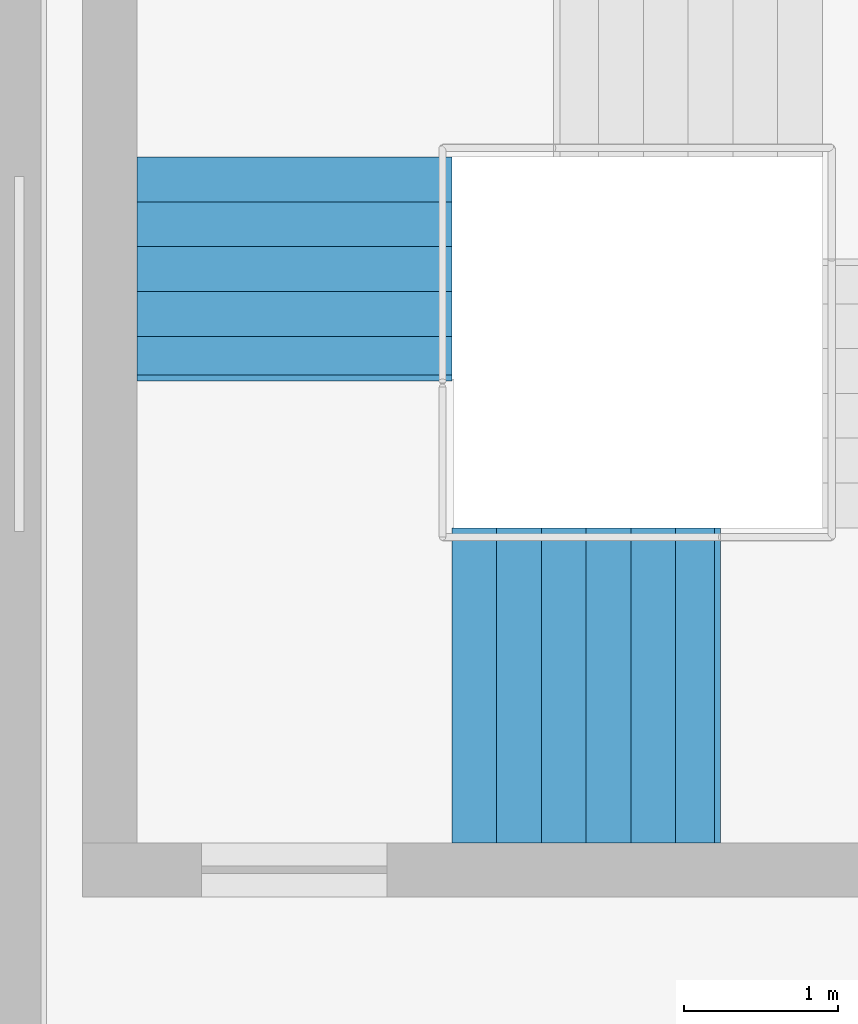
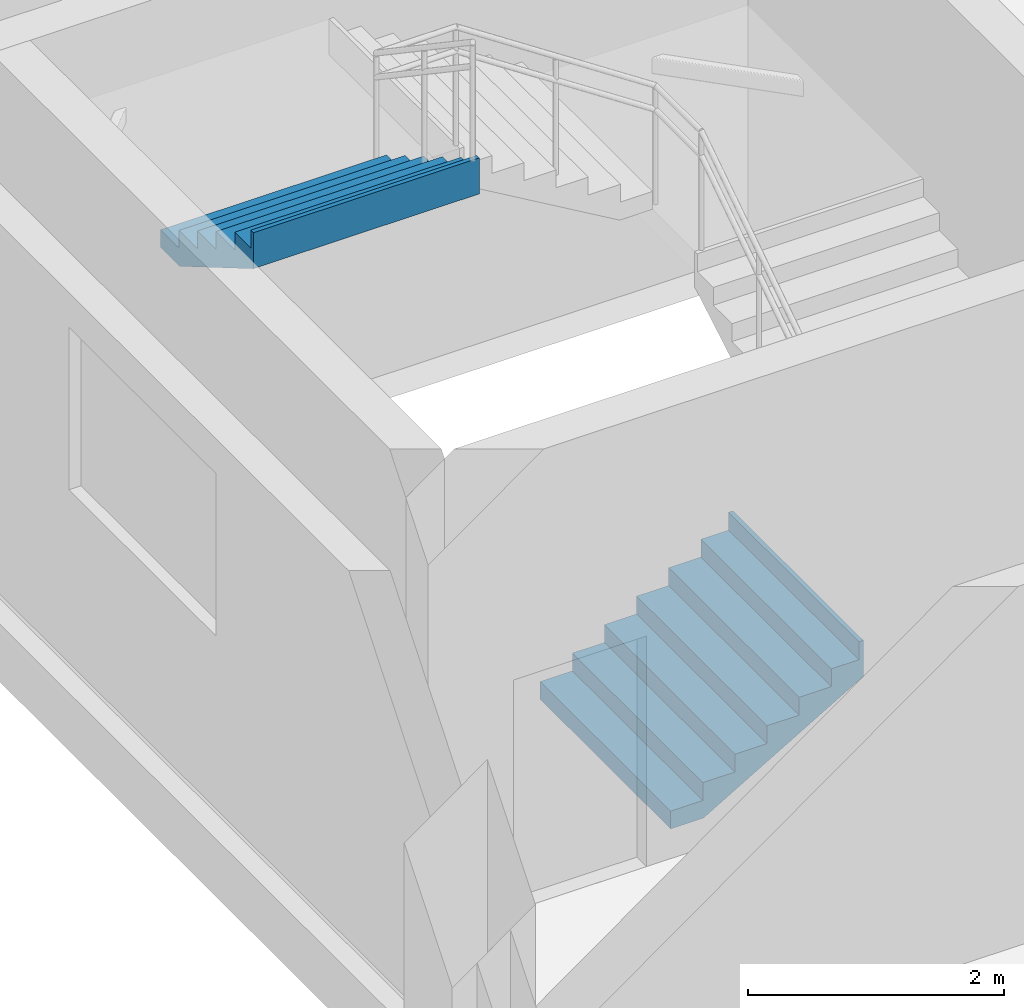
# One storey, part 45 of 55: 2 stair flights, 1 element without a shape of its own.
"""IFC4 building model written with IfcOpenShell, lengths in metres."""

from ifc_helpers import new_model, si_unit, direction, frame, origin, place, context, subcontext, project, spatial, triangles, material, type_object, element, aggregate, save


model = new_model("IFC4")

# Units and contexts
model_context = context("Model", 3, precision=1e-05, world=origin(), true_north=direction((0.0, 1.0)))
body_context = subcontext(model_context, "Body", "Model", "MODEL_VIEW")
ifc_project = project(units=[si_unit("LENGTHUNIT", "METRE"), si_unit("AREAUNIT", "SQUARE_METRE"), si_unit("VOLUMEUNIT", "CUBIC_METRE"), si_unit("PLANEANGLEUNIT", "RADIAN"), si_unit("MASSUNIT", "GRAM", prefix="KILO")], contexts=[model_context])

# Site, building, storey
site_placement = place(None, origin())
site = spatial("IfcSite", under=ifc_project, at=site_placement, CompositionType="ELEMENT")
building_placement = place(site_placement, origin())
building = spatial("IfcBuilding", under=site, at=building_placement, Name="Sillaruma Civic Art Gallery", CompositionType="ELEMENT")
storey_placement = place(building_placement, frame((0.0, 0.0, 37.739990234375)))
storey = spatial("IfcBuildingStorey", under=building, at=storey_placement, Name="L07", CompositionType="ELEMENT", Elevation=37.739990234375)

# Stair, stair flights
ifc_material = material(Name="Concrete H35 (35 MPa)", Category="concrete")
stair_type = type_object("IfcStairType", Name="STR-4F-27", PredefinedType="USERDEFINED", material=ifc_material)
stair_placement = place(storey_placement, origin())
stair = element("IfcStair", 1, at=stair_placement, inside=storey, type_object=stair_type, Name="Protected Exit Stair ST-03 (West Bar South) (L07)", ObjectType="THREE_RETURN_STAIR", PredefinedType="USERDEFINED")
stair_flight_type_1 = type_object("IfcStairFlightType", Name="SFL-STR-6", PredefinedType="STRAIGHT", material=ifc_material)
stair_flight_1_placement = place(storey_placement, frame((63.780029296875, 35.85009765625, 3.570068359375), z_axis=(0.0, 0.0, 1.0), x_axis=(0.0, -1.0, 0.0)))
stair_flight_1 = element("IfcStairFlight", 2, at=stair_flight_1_placement, type_object=stair_flight_type_1, Name="ST-03 flight 4", NumberOfRisers=6, NumberOfTreads=5, PredefinedType="STRAIGHT", RiserHeight=0.17, TreadLength=0.29, context=body_context, shape_type="Tessellation", body=[
    triangles([(0.0, -1.02001953125, 0.0), (0.29, -1.02001953125, 0.0), (0.296365, -1.02001953125, 0.0), (0.58, -1.02001953125, 0.166269), (0.87, -1.02001953125, 0.336269), (1.16, -1.02001953125, 0.506269), (1.409951, -1.02001953125, 0.652792), (1.449951, -1.02001953125, 0.67624), (1.449951, -1.02001953125, 1.02), (1.409951, -1.02001953125, 1.02), (1.409951, -1.02001953125, 0.85), (1.16, -1.02001953125, 0.85), (1.16, -1.02001953125, 0.68), (0.87, -1.02001953125, 0.68), (0.87, -1.02001953125, 0.51), (0.58, -1.02001953125, 0.51), (0.58, -1.02001953125, 0.34), (0.296365, -1.02001953125, 0.34), (0.29, -1.02001953125, 0.34), (0.29, -1.02001953125, 0.17), (0.0, -1.02001953125, 0.17), (0.0, -0.05, 0.0), (0.29, -0.05, 0.0), (0.296365, -0.05, 0.0), (0.58, -0.05, 0.166269), (0.87, -0.05, 0.336269), (1.16, -0.05, 0.506269), (1.409951, -0.05, 0.652792), (1.449951, -0.05, 0.67624), (1.449951, -0.05, 1.02), (1.409951, -0.05, 1.02), (1.409951, -0.05, 0.85), (1.16, -0.05, 0.85), (1.16, -0.05, 0.68), (0.87, -0.05, 0.68), (0.87, -0.05, 0.51), (0.58, -0.05, 0.51), (0.58, -0.05, 0.34), (0.296365, -0.05, 0.34), (0.29, -0.05, 0.34), (0.29, -0.05, 0.17), (0.0, -0.05, 0.17), (0.0, -0.0375, 0.0), (0.29, -0.0375, 0.0), (0.296365, -0.0375, 0.0), (0.58, -0.0375, 0.166269), (0.87, -0.0375, 0.336269), (1.16, -0.0375, 0.506269), (1.409951, -0.0375, 0.652792), (1.449951, -0.0375, 0.67624), (1.449951, -0.0375, 1.02), (1.409951, -0.0375, 1.02), (1.409951, -0.0375, 0.85), (1.16, -0.0375, 0.85), (1.16, -0.0375, 0.68), (0.87, -0.0375, 0.68), (0.87, -0.0375, 0.51), (0.58, -0.0375, 0.51), (0.58, -0.0375, 0.34), (0.296365, -0.0375, 0.34), (0.29, -0.0375, 0.34), (0.29, -0.0375, 0.17), (0.0, -0.0375, 0.17), (0.0, -0.025, 0.0), (0.29, -0.025, 0.0), (0.296365, -0.025, 0.0), (0.58, -0.025, 0.166269), (0.87, -0.025, 0.336269), (1.16, -0.025, 0.506269), (1.409951, -0.025, 0.652792), (1.449951, -0.025, 0.67624), (1.449951, -0.025, 1.02), (1.409951, -0.025, 1.02), (1.409951, -0.025, 0.85), (1.16, -0.025, 0.85), (1.16, -0.025, 0.68), (0.87, -0.025, 0.68), (0.87, -0.025, 0.51), (0.58, -0.025, 0.51), (0.58, -0.025, 0.34), (0.296365, -0.025, 0.34), (0.29, -0.025, 0.34), (0.29, -0.025, 0.17), (0.0, -0.025, 0.17), (0.0, -0.0125, 0.0), (0.29, -0.0125, 0.0), (0.296365, -0.0125, 0.0), (0.58, -0.0125, 0.166269), (0.87, -0.0125, 0.336269), (1.16, -0.0125, 0.506269), (1.409951, -0.0125, 0.652792), (1.449951, -0.0125, 0.67624), (1.449951, -0.0125, 1.02), (1.409951, -0.0125, 1.02), (1.409951, -0.0125, 0.85), (1.16, -0.0125, 0.85), (1.16, -0.0125, 0.68), (0.87, -0.0125, 0.68), (0.87, -0.0125, 0.51), (0.58, -0.0125, 0.51), (0.58, -0.0125, 0.34), (0.296365, -0.0125, 0.34), (0.29, -0.0125, 0.34), (0.29, -0.0125, 0.17), (0.0, -0.0125, 0.17), (0.0, 0.0, 0.0), (0.29, 0.0, 0.0), (0.296365, 0.0, 0.0), (0.58, 0.0, 0.166269), (0.87, 0.0, 0.336269), (1.16, 0.0, 0.506269), (1.409951, 0.0, 0.652792), (1.449951, 0.0, 0.67624), (1.449951, 0.0, 1.02), (1.409951, 0.0, 1.02), (1.409951, 0.0, 0.85), (1.16, 0.0, 0.85), (1.16, 0.0, 0.68), (0.87, 0.0, 0.68), (0.87, 0.0, 0.51), (0.58, 0.0, 0.51), (0.58, 0.0, 0.34), (0.296365, 0.0, 0.34), (0.29, 0.0, 0.34), (0.29, 0.0, 0.17), (0.0, 0.0, 0.17), (0.0, 0.0125, 0.0), (0.29, 0.0125, 0.0), (0.296365, 0.0125, 0.0), (0.58, 0.0125, 0.166269), (0.87, 0.0125, 0.336269), (1.16, 0.0125, 0.506269), (1.409951, 0.0125, 0.652792), (1.449951, 0.0125, 0.67624), (1.449951, 0.0125, 1.02), (1.409951, 0.0125, 1.02), (1.409951, 0.0125, 0.85), (1.16, 0.0125, 0.85), (1.16, 0.0125, 0.68), (0.87, 0.0125, 0.68), (0.87, 0.0125, 0.51), (0.58, 0.0125, 0.51), (0.58, 0.0125, 0.34), (0.296365, 0.0125, 0.34), (0.29, 0.0125, 0.34), (0.29, 0.0125, 0.17), (0.0, 0.0125, 0.17), (0.0, 0.025, 0.0), (0.29, 0.025, 0.0), (0.296365, 0.025, 0.0), (0.58, 0.025, 0.166269), (0.87, 0.025, 0.336269), (1.16, 0.025, 0.506269), (1.409951, 0.025, 0.652792), (1.449951, 0.025, 0.67624), (1.449951, 0.025, 1.02), (1.409951, 0.025, 1.02), (1.409951, 0.025, 0.85), (1.16, 0.025, 0.85), (1.16, 0.025, 0.68), (0.87, 0.025, 0.68), (0.87, 0.025, 0.51), (0.58, 0.025, 0.51), (0.58, 0.025, 0.34), (0.296365, 0.025, 0.34), (0.29, 0.025, 0.34), (0.29, 0.025, 0.17), (0.0, 0.025, 0.17), (0.0, 0.0375, 0.0), (0.29, 0.0375, 0.0), (0.296365, 0.0375, 0.0), (0.58, 0.0375, 0.166269), (0.87, 0.0375, 0.336269), (1.16, 0.0375, 0.506269), (1.409951, 0.0375, 0.652792), (1.449951, 0.0375, 0.67624), (1.449951, 0.0375, 1.02), (1.409951, 0.0375, 1.02), (1.409951, 0.0375, 0.85), (1.16, 0.0375, 0.85), (1.16, 0.0375, 0.68), (0.87, 0.0375, 0.68), (0.87, 0.0375, 0.51), (0.58, 0.0375, 0.51), (0.58, 0.0375, 0.34), (0.296365, 0.0375, 0.34), (0.29, 0.0375, 0.34), (0.29, 0.0375, 0.17), (0.0, 0.0375, 0.17), (0.0, 0.05, 0.0), (0.29, 0.05, 0.0), (0.296365, 0.05, 0.0), (0.58, 0.05, 0.166269), (0.87, 0.05, 0.336269), (1.16, 0.05, 0.506269), (1.409951, 0.05, 0.652792), (1.449951, 0.05, 0.67624), (1.449951, 0.05, 1.02), (1.409951, 0.05, 1.02), (1.409951, 0.05, 0.85), (1.16, 0.05, 0.85), (1.16, 0.05, 0.68), (0.87, 0.05, 0.68), (0.87, 0.05, 0.51), (0.58, 0.05, 0.51), (0.58, 0.05, 0.34), (0.296365, 0.05, 0.34), (0.29, 0.05, 0.34), (0.29, 0.05, 0.17), (0.0, 0.05, 0.17), (0.0, 1.02001953125, 0.0), (0.29, 1.02001953125, 0.0), (0.296365, 1.02001953125, 0.0), (0.58, 1.02001953125, 0.166269), (0.87, 1.02001953125, 0.336269), (1.16, 1.02001953125, 0.506269), (1.409951, 1.02001953125, 0.652792), (1.449951, 1.02001953125, 0.67624), (1.449951, 1.02001953125, 1.02), (1.409951, 1.02001953125, 1.02), (1.409951, 1.02001953125, 0.85), (1.16, 1.02001953125, 0.85), (1.16, 1.02001953125, 0.68), (0.87, 1.02001953125, 0.68), (0.87, 1.02001953125, 0.51), (0.58, 1.02001953125, 0.51), (0.58, 1.02001953125, 0.34), (0.296365, 1.02001953125, 0.34), (0.29, 1.02001953125, 0.34), (0.29, 1.02001953125, 0.17), (0.0, 1.02001953125, 0.17)], [[1, 2, 20], [1, 20, 21], [2, 3, 18], [2, 18, 20], [20, 18, 19], [3, 4, 17], [3, 17, 18], [4, 5, 15], [4, 15, 17], [17, 15, 16], [5, 6, 13], [5, 13, 15], [15, 13, 14], [6, 7, 11], [6, 11, 13], [13, 11, 12], [7, 8, 9], [7, 9, 11], [11, 9, 10], [230, 212, 211], [231, 230, 211], [228, 213, 212], [230, 228, 212], [229, 228, 230], [227, 214, 213], [228, 227, 213], [225, 215, 214], [227, 225, 214], [226, 225, 227], [223, 216, 215], [225, 223, 215], [224, 223, 225], [221, 217, 216], [223, 221, 216], [222, 221, 223], [219, 218, 217], [221, 219, 217], [220, 219, 221], [2, 1, 22], [2, 22, 23], [3, 2, 23], [3, 23, 24], [4, 3, 24], [4, 24, 25], [5, 4, 25], [5, 25, 26], [6, 5, 26], [6, 26, 27], [7, 6, 27], [7, 27, 28], [8, 7, 28], [8, 28, 29], [9, 8, 29], [9, 29, 30], [10, 9, 30], [10, 30, 31], [11, 10, 31], [11, 31, 32], [12, 11, 32], [12, 32, 33], [13, 12, 33], [13, 33, 34], [14, 13, 34], [14, 34, 35], [15, 14, 35], [15, 35, 36], [16, 15, 36], [16, 36, 37], [17, 16, 37], [17, 37, 38], [18, 17, 38], [18, 38, 39], [19, 18, 39], [19, 39, 40], [20, 19, 40], [20, 40, 41], [21, 20, 41], [21, 41, 42], [1, 21, 42], [1, 42, 22], [23, 22, 43], [23, 43, 44], [24, 23, 44], [24, 44, 45], [25, 24, 45], [25, 45, 46], [26, 25, 46], [26, 46, 47], [27, 26, 47], [27, 47, 48], [28, 27, 48], [28, 48, 49], [29, 28, 49], [29, 49, 50], [30, 29, 50], [30, 50, 51], [31, 30, 51], [31, 51, 52], [32, 31, 52], [32, 52, 53], [33, 32, 53], [33, 53, 54], [34, 33, 54], [34, 54, 55], [35, 34, 55], [35, 55, 56], [36, 35, 56], [36, 56, 57], [37, 36, 57], [37, 57, 58], [38, 37, 58], [38, 58, 59], [39, 38, 59], [39, 59, 60], [40, 39, 60], [40, 60, 61], [41, 40, 61], [41, 61, 62], [42, 41, 62], [42, 62, 63], [22, 42, 63], [22, 63, 43], [44, 43, 64], [44, 64, 65], [45, 44, 65], [45, 65, 66], [46, 45, 66], [46, 66, 67], [47, 46, 67], [47, 67, 68], [48, 47, 68], [48, 68, 69], [49, 48, 69], [49, 69, 70], [50, 49, 70], [50, 70, 71], [51, 50, 71], [51, 71, 72], [52, 51, 72], [52, 72, 73], [53, 52, 73], [53, 73, 74], [54, 53, 74], [54, 74, 75], [55, 54, 75], [55, 75, 76], [56, 55, 76], [56, 76, 77], [57, 56, 77], [57, 77, 78], [58, 57, 78], [58, 78, 79], [59, 58, 79], [59, 79, 80], [60, 59, 80], [60, 80, 81], [61, 60, 81], [61, 81, 82], [62, 61, 82], [62, 82, 83], [63, 62, 83], [63, 83, 84], [43, 63, 84], [43, 84, 64], [65, 64, 85], [65, 85, 86], [66, 65, 86], [66, 86, 87], [67, 66, 87], [67, 87, 88], [68, 67, 88], [68, 88, 89], [69, 68, 89], [69, 89, 90], [70, 69, 90], [70, 90, 91], [71, 70, 91], [71, 91, 92], [72, 71, 92], [72, 92, 93], [73, 72, 93], [73, 93, 94], [74, 73, 94], [74, 94, 95], [75, 74, 95], [75, 95, 96], [76, 75, 96], [76, 96, 97], [77, 76, 97], [77, 97, 98], [78, 77, 98], [78, 98, 99], [79, 78, 99], [79, 99, 100], [80, 79, 100], [80, 100, 101], [81, 80, 101], [81, 101, 102], [82, 81, 102], [82, 102, 103], [83, 82, 103], [83, 103, 104], [84, 83, 104], [84, 104, 105], [64, 84, 105], [64, 105, 85], [86, 85, 106], [86, 106, 107], [87, 86, 107], [87, 107, 108], [88, 87, 108], [88, 108, 109], [89, 88, 109], [89, 109, 110], [90, 89, 110], [90, 110, 111], [91, 90, 111], [91, 111, 112], [92, 91, 112], [92, 112, 113], [93, 92, 113], [93, 113, 114], [94, 93, 114], [94, 114, 115], [95, 94, 115], [95, 115, 116], [96, 95, 116], [96, 116, 117], [97, 96, 117], [97, 117, 118], [98, 97, 118], [98, 118, 119], [99, 98, 119], [99, 119, 120], [100, 99, 120], [100, 120, 121], [101, 100, 121], [101, 121, 122], [102, 101, 122], [102, 122, 123], [103, 102, 123], [103, 123, 124], [104, 103, 124], [104, 124, 125], [105, 104, 125], [105, 125, 126], [85, 105, 126], [85, 126, 106], [107, 106, 127], [107, 127, 128], [108, 107, 128], [108, 128, 129], [109, 108, 129], [109, 129, 130], [110, 109, 130], [110, 130, 131], [111, 110, 131], [111, 131, 132], [112, 111, 132], [112, 132, 133], [113, 112, 133], [113, 133, 134], [114, 113, 134], [114, 134, 135], [115, 114, 135], [115, 135, 136], [116, 115, 136], [116, 136, 137], [117, 116, 137], [117, 137, 138], [118, 117, 138], [118, 138, 139], [119, 118, 139], [119, 139, 140], [120, 119, 140], [120, 140, 141], [121, 120, 141], [121, 141, 142], [122, 121, 142], [122, 142, 143], [123, 122, 143], [123, 143, 144], [124, 123, 144], [124, 144, 145], [125, 124, 145], [125, 145, 146], [126, 125, 146], [126, 146, 147], [106, 126, 147], [106, 147, 127], [128, 127, 148], [128, 148, 149], [129, 128, 149], [129, 149, 150], [130, 129, 150], [130, 150, 151], [131, 130, 151], [131, 151, 152], [132, 131, 152], [132, 152, 153], [133, 132, 153], [133, 153, 154], [134, 133, 154], [134, 154, 155], [135, 134, 155], [135, 155, 156], [136, 135, 156], [136, 156, 157], [137, 136, 157], [137, 157, 158], [138, 137, 158], [138, 158, 159], [139, 138, 159], [139, 159, 160], [140, 139, 160], [140, 160, 161], [141, 140, 161], [141, 161, 162], [142, 141, 162], [142, 162, 163], [143, 142, 163], [143, 163, 164], [144, 143, 164], [144, 164, 165], [145, 144, 165], [145, 165, 166], [146, 145, 166], [146, 166, 167], [147, 146, 167], [147, 167, 168], [127, 147, 168], [127, 168, 148], [149, 148, 169], [149, 169, 170], [150, 149, 170], [150, 170, 171], [151, 150, 171], [151, 171, 172], [152, 151, 172], [152, 172, 173], [153, 152, 173], [153, 173, 174], [154, 153, 174], [154, 174, 175], [155, 154, 175], [155, 175, 176], [156, 155, 176], [156, 176, 177], [157, 156, 177], [157, 177, 178], [158, 157, 178], [158, 178, 179], [159, 158, 179], [159, 179, 180], [160, 159, 180], [160, 180, 181], [161, 160, 181], [161, 181, 182], [162, 161, 182], [162, 182, 183], [163, 162, 183], [163, 183, 184], [164, 163, 184], [164, 184, 185], [165, 164, 185], [165, 185, 186], [166, 165, 186], [166, 186, 187], [167, 166, 187], [167, 187, 188], [168, 167, 188], [168, 188, 189], [148, 168, 189], [148, 189, 169], [170, 169, 190], [170, 190, 191], [171, 170, 191], [171, 191, 192], [172, 171, 192], [172, 192, 193], [173, 172, 193], [173, 193, 194], [174, 173, 194], [174, 194, 195], [175, 174, 195], [175, 195, 196], [176, 175, 196], [176, 196, 197], [177, 176, 197], [177, 197, 198], [178, 177, 198], [178, 198, 199], [179, 178, 199], [179, 199, 200], [180, 179, 200], [180, 200, 201], [181, 180, 201], [181, 201, 202], [182, 181, 202], [182, 202, 203], [183, 182, 203], [183, 203, 204], [184, 183, 204], [184, 204, 205], [185, 184, 205], [185, 205, 206], [186, 185, 206], [186, 206, 207], [187, 186, 207], [187, 207, 208], [188, 187, 208], [188, 208, 209], [189, 188, 209], [189, 209, 210], [169, 189, 210], [169, 210, 190], [191, 190, 211], [191, 211, 212], [192, 191, 212], [192, 212, 213], [193, 192, 213], [193, 213, 214], [194, 193, 214], [194, 214, 215], [195, 194, 215], [195, 215, 216], [196, 195, 216], [196, 216, 217], [197, 196, 217], [197, 217, 218], [198, 197, 218], [198, 218, 219], [199, 198, 219], [199, 219, 220], [200, 199, 220], [200, 220, 221], [201, 200, 221], [201, 221, 222], [202, 201, 222], [202, 222, 223], [203, 202, 223], [203, 223, 224], [204, 203, 224], [204, 224, 225], [205, 204, 225], [205, 225, 226], [206, 205, 226], [206, 226, 227], [207, 206, 227], [207, 227, 228], [208, 207, 228], [208, 228, 229], [209, 208, 229], [209, 229, 230], [210, 209, 230], [210, 230, 231], [190, 210, 231], [190, 231, 211]], closed=True),
])
stair_flight_type_2 = type_object("IfcStairFlightType", Name="SFL-STR-7", PredefinedType="STRAIGHT", material=ifc_material)
stair_flight_2_placement = place(storey_placement, frame((64.800048828125, 32.429931640625, 0.0), z_axis=(0.0, 0.0, 1.0), x_axis=(1.0, 0.0, 0.0)))
stair_flight_2 = element("IfcStairFlight", 3, at=stair_flight_2_placement, type_object=stair_flight_type_2, Name="ST-03 flight 1", NumberOfRisers=7, NumberOfTreads=6, PredefinedType="STRAIGHT", RiserHeight=0.17, TreadLength=0.29, context=body_context, shape_type="Tessellation", body=[
    triangles([(0.0, -1.02001953125, 0.0), (0.29, -1.02001953125, 0.0), (0.296404, -1.02001953125, 0.0), (0.58, -1.02001953125, 0.166246), (0.87, -1.02001953125, 0.336246), (1.16, -1.02001953125, 0.506246), (1.45, -1.02001953125, 0.676246), (1.69999, -1.02001953125, 0.822792), (1.73999, -1.02001953125, 0.84624), (1.73999, -1.02001953125, 1.19), (1.69999, -1.02001953125, 1.19), (1.69999, -1.02001953125, 1.02), (1.45, -1.02001953125, 1.02), (1.45, -1.02001953125, 0.85), (1.16, -1.02001953125, 0.85), (1.16, -1.02001953125, 0.68), (0.87, -1.02001953125, 0.68), (0.87, -1.02001953125, 0.51), (0.58, -1.02001953125, 0.51), (0.58, -1.02001953125, 0.34), (0.296404, -1.02001953125, 0.34), (0.29, -1.02001953125, 0.34), (0.29, -1.02001953125, 0.17), (0.0, -1.02001953125, 0.17), (0.0, -0.05, 0.0), (0.29, -0.05, 0.0), (0.296404, -0.05, 0.0), (0.58, -0.05, 0.166246), (0.87, -0.05, 0.336246), (1.16, -0.05, 0.506246), (1.45, -0.05, 0.676246), (1.69999, -0.05, 0.822792), (1.73999, -0.05, 0.84624), (1.73999, -0.05, 1.19), (1.69999, -0.05, 1.19), (1.69999, -0.05, 1.02), (1.45, -0.05, 1.02), (1.45, -0.05, 0.85), (1.16, -0.05, 0.85), (1.16, -0.05, 0.68), (0.87, -0.05, 0.68), (0.87, -0.05, 0.51), (0.58, -0.05, 0.51), (0.58, -0.05, 0.34), (0.296404, -0.05, 0.34), (0.29, -0.05, 0.34), (0.29, -0.05, 0.17), (0.0, -0.05, 0.17), (0.0, -0.0375, 0.0), (0.29, -0.0375, 0.0), (0.296404, -0.0375, 0.0), (0.58, -0.0375, 0.166246), (0.87, -0.0375, 0.336246), (1.16, -0.0375, 0.506246), (1.45, -0.0375, 0.676246), (1.69999, -0.0375, 0.822792), (1.73999, -0.0375, 0.84624), (1.73999, -0.0375, 1.19), (1.69999, -0.0375, 1.19), (1.69999, -0.0375, 1.02), (1.45, -0.0375, 1.02), (1.45, -0.0375, 0.85), (1.16, -0.0375, 0.85), (1.16, -0.0375, 0.68), (0.87, -0.0375, 0.68), (0.87, -0.0375, 0.51), (0.58, -0.0375, 0.51), (0.58, -0.0375, 0.34), (0.296404, -0.0375, 0.34), (0.29, -0.0375, 0.34), (0.29, -0.0375, 0.17), (0.0, -0.0375, 0.17), (0.0, -0.025, 0.0), (0.29, -0.025, 0.0), (0.296404, -0.025, 0.0), (0.58, -0.025, 0.166246), (0.87, -0.025, 0.336246), (1.16, -0.025, 0.506246), (1.45, -0.025, 0.676246), (1.69999, -0.025, 0.822792), (1.73999, -0.025, 0.84624), (1.73999, -0.025, 1.19), (1.69999, -0.025, 1.19), (1.69999, -0.025, 1.02), (1.45, -0.025, 1.02), (1.45, -0.025, 0.85), (1.16, -0.025, 0.85), (1.16, -0.025, 0.68), (0.87, -0.025, 0.68), (0.87, -0.025, 0.51), (0.58, -0.025, 0.51), (0.58, -0.025, 0.34), (0.296404, -0.025, 0.34), (0.29, -0.025, 0.34), (0.29, -0.025, 0.17), (0.0, -0.025, 0.17), (0.0, -0.0125, 0.0), (0.29, -0.0125, 0.0), (0.296404, -0.0125, 0.0), (0.58, -0.0125, 0.166246), (0.87, -0.0125, 0.336246), (1.16, -0.0125, 0.506246), (1.45, -0.0125, 0.676246), (1.69999, -0.0125, 0.822792), (1.73999, -0.0125, 0.84624), (1.73999, -0.0125, 1.19), (1.69999, -0.0125, 1.19), (1.69999, -0.0125, 1.02), (1.45, -0.0125, 1.02), (1.45, -0.0125, 0.85), (1.16, -0.0125, 0.85), (1.16, -0.0125, 0.68), (0.87, -0.0125, 0.68), (0.87, -0.0125, 0.51), (0.58, -0.0125, 0.51), (0.58, -0.0125, 0.34), (0.296404, -0.0125, 0.34), (0.29, -0.0125, 0.34), (0.29, -0.0125, 0.17), (0.0, -0.0125, 0.17), (0.0, 0.0, 0.0), (0.29, 0.0, 0.0), (0.296404, 0.0, 0.0), (0.58, 0.0, 0.166246), (0.87, 0.0, 0.336246), (1.16, 0.0, 0.506246), (1.45, 0.0, 0.676246), (1.69999, 0.0, 0.822792), (1.73999, 0.0, 0.84624), (1.73999, 0.0, 1.19), (1.69999, 0.0, 1.19), (1.69999, 0.0, 1.02), (1.45, 0.0, 1.02), (1.45, 0.0, 0.85), (1.16, 0.0, 0.85), (1.16, 0.0, 0.68), (0.87, 0.0, 0.68), (0.87, 0.0, 0.51), (0.58, 0.0, 0.51), (0.58, 0.0, 0.34), (0.296404, 0.0, 0.34), (0.29, 0.0, 0.34), (0.29, 0.0, 0.17), (0.0, 0.0, 0.17), (0.0, 0.0125, 0.0), (0.29, 0.0125, 0.0), (0.296404, 0.0125, 0.0), (0.58, 0.0125, 0.166246), (0.87, 0.0125, 0.336246), (1.16, 0.0125, 0.506246), (1.45, 0.0125, 0.676246), (1.69999, 0.0125, 0.822792), (1.73999, 0.0125, 0.84624), (1.73999, 0.0125, 1.19), (1.69999, 0.0125, 1.19), (1.69999, 0.0125, 1.02), (1.45, 0.0125, 1.02), (1.45, 0.0125, 0.85), (1.16, 0.0125, 0.85), (1.16, 0.0125, 0.68), (0.87, 0.0125, 0.68), (0.87, 0.0125, 0.51), (0.58, 0.0125, 0.51), (0.58, 0.0125, 0.34), (0.296404, 0.0125, 0.34), (0.29, 0.0125, 0.34), (0.29, 0.0125, 0.17), (0.0, 0.0125, 0.17), (0.0, 0.025, 0.0), (0.29, 0.025, 0.0), (0.296404, 0.025, 0.0), (0.58, 0.025, 0.166246), (0.87, 0.025, 0.336246), (1.16, 0.025, 0.506246), (1.45, 0.025, 0.676246), (1.69999, 0.025, 0.822792), (1.73999, 0.025, 0.84624), (1.73999, 0.025, 1.19), (1.69999, 0.025, 1.19), (1.69999, 0.025, 1.02), (1.45, 0.025, 1.02), (1.45, 0.025, 0.85), (1.16, 0.025, 0.85), (1.16, 0.025, 0.68), (0.87, 0.025, 0.68), (0.87, 0.025, 0.51), (0.58, 0.025, 0.51), (0.58, 0.025, 0.34), (0.296404, 0.025, 0.34), (0.29, 0.025, 0.34), (0.29, 0.025, 0.17), (0.0, 0.025, 0.17), (0.0, 0.0375, 0.0), (0.29, 0.0375, 0.0), (0.296404, 0.0375, 0.0), (0.58, 0.0375, 0.166246), (0.87, 0.0375, 0.336246), (1.16, 0.0375, 0.506246), (1.45, 0.0375, 0.676246), (1.69999, 0.0375, 0.822792), (1.73999, 0.0375, 0.84624), (1.73999, 0.0375, 1.19), (1.69999, 0.0375, 1.19), (1.69999, 0.0375, 1.02), (1.45, 0.0375, 1.02), (1.45, 0.0375, 0.85), (1.16, 0.0375, 0.85), (1.16, 0.0375, 0.68), (0.87, 0.0375, 0.68), (0.87, 0.0375, 0.51), (0.58, 0.0375, 0.51), (0.58, 0.0375, 0.34), (0.296404, 0.0375, 0.34), (0.29, 0.0375, 0.34), (0.29, 0.0375, 0.17), (0.0, 0.0375, 0.17), (0.0, 0.05, 0.0), (0.29, 0.05, 0.0), (0.296404, 0.05, 0.0), (0.58, 0.05, 0.166246), (0.87, 0.05, 0.336246), (1.16, 0.05, 0.506246), (1.45, 0.05, 0.676246), (1.69999, 0.05, 0.822792), (1.73999, 0.05, 0.84624), (1.73999, 0.05, 1.19), (1.69999, 0.05, 1.19), (1.69999, 0.05, 1.02), (1.45, 0.05, 1.02), (1.45, 0.05, 0.85), (1.16, 0.05, 0.85), (1.16, 0.05, 0.68), (0.87, 0.05, 0.68), (0.87, 0.05, 0.51), (0.58, 0.05, 0.51), (0.58, 0.05, 0.34), (0.296404, 0.05, 0.34), (0.29, 0.05, 0.34), (0.29, 0.05, 0.17), (0.0, 0.05, 0.17), (0.0, 1.02001953125, 0.0), (0.29, 1.02001953125, 0.0), (0.296404, 1.02001953125, 0.0), (0.58, 1.02001953125, 0.166246), (0.87, 1.02001953125, 0.336246), (1.16, 1.02001953125, 0.506246), (1.45, 1.02001953125, 0.676246), (1.69999, 1.02001953125, 0.822792), (1.73999, 1.02001953125, 0.84624), (1.73999, 1.02001953125, 1.19), (1.69999, 1.02001953125, 1.19), (1.69999, 1.02001953125, 1.02), (1.45, 1.02001953125, 1.02), (1.45, 1.02001953125, 0.85), (1.16, 1.02001953125, 0.85), (1.16, 1.02001953125, 0.68), (0.87, 1.02001953125, 0.68), (0.87, 1.02001953125, 0.51), (0.58, 1.02001953125, 0.51), (0.58, 1.02001953125, 0.34), (0.296404, 1.02001953125, 0.34), (0.29, 1.02001953125, 0.34), (0.29, 1.02001953125, 0.17), (0.0, 1.02001953125, 0.17)], [[1, 2, 23], [1, 23, 24], [2, 3, 21], [2, 21, 23], [23, 21, 22], [3, 4, 20], [3, 20, 21], [4, 5, 18], [4, 18, 20], [20, 18, 19], [5, 6, 16], [5, 16, 18], [18, 16, 17], [6, 7, 14], [6, 14, 16], [16, 14, 15], [7, 8, 12], [7, 12, 14], [14, 12, 13], [8, 9, 10], [8, 10, 12], [12, 10, 11], [263, 242, 241], [264, 263, 241], [261, 243, 242], [263, 261, 242], [262, 261, 263], [260, 244, 243], [261, 260, 243], [258, 245, 244], [260, 258, 244], [259, 258, 260], [256, 246, 245], [258, 256, 245], [257, 256, 258], [254, 247, 246], [256, 254, 246], [255, 254, 256], [252, 248, 247], [254, 252, 247], [253, 252, 254], [250, 249, 248], [252, 250, 248], [251, 250, 252], [2, 1, 25], [2, 25, 26], [3, 2, 26], [3, 26, 27], [4, 3, 27], [4, 27, 28], [5, 4, 28], [5, 28, 29], [6, 5, 29], [6, 29, 30], [7, 6, 30], [7, 30, 31], [8, 7, 31], [8, 31, 32], [9, 8, 32], [9, 32, 33], [10, 9, 33], [10, 33, 34], [11, 10, 34], [11, 34, 35], [12, 11, 35], [12, 35, 36], [13, 12, 36], [13, 36, 37], [14, 13, 37], [14, 37, 38], [15, 14, 38], [15, 38, 39], [16, 15, 39], [16, 39, 40], [17, 16, 40], [17, 40, 41], [18, 17, 41], [18, 41, 42], [19, 18, 42], [19, 42, 43], [20, 19, 43], [20, 43, 44], [21, 20, 44], [21, 44, 45], [22, 21, 45], [22, 45, 46], [23, 22, 46], [23, 46, 47], [24, 23, 47], [24, 47, 48], [1, 24, 48], [1, 48, 25], [26, 25, 49], [26, 49, 50], [27, 26, 50], [27, 50, 51], [28, 27, 51], [28, 51, 52], [29, 28, 52], [29, 52, 53], [30, 29, 53], [30, 53, 54], [31, 30, 54], [31, 54, 55], [32, 31, 55], [32, 55, 56], [33, 32, 56], [33, 56, 57], [34, 33, 57], [34, 57, 58], [35, 34, 58], [35, 58, 59], [36, 35, 59], [36, 59, 60], [37, 36, 60], [37, 60, 61], [38, 37, 61], [38, 61, 62], [39, 38, 62], [39, 62, 63], [40, 39, 63], [40, 63, 64], [41, 40, 64], [41, 64, 65], [42, 41, 65], [42, 65, 66], [43, 42, 66], [43, 66, 67], [44, 43, 67], [44, 67, 68], [45, 44, 68], [45, 68, 69], [46, 45, 69], [46, 69, 70], [47, 46, 70], [47, 70, 71], [48, 47, 71], [48, 71, 72], [25, 48, 72], [25, 72, 49], [50, 49, 73], [50, 73, 74], [51, 50, 74], [51, 74, 75], [52, 51, 75], [52, 75, 76], [53, 52, 76], [53, 76, 77], [54, 53, 77], [54, 77, 78], [55, 54, 78], [55, 78, 79], [56, 55, 79], [56, 79, 80], [57, 56, 80], [57, 80, 81], [58, 57, 81], [58, 81, 82], [59, 58, 82], [59, 82, 83], [60, 59, 83], [60, 83, 84], [61, 60, 84], [61, 84, 85], [62, 61, 85], [62, 85, 86], [63, 62, 86], [63, 86, 87], [64, 63, 87], [64, 87, 88], [65, 64, 88], [65, 88, 89], [66, 65, 89], [66, 89, 90], [67, 66, 90], [67, 90, 91], [68, 67, 91], [68, 91, 92], [69, 68, 92], [69, 92, 93], [70, 69, 93], [70, 93, 94], [71, 70, 94], [71, 94, 95], [72, 71, 95], [72, 95, 96], [49, 72, 96], [49, 96, 73], [74, 73, 97], [74, 97, 98], [75, 74, 98], [75, 98, 99], [76, 75, 99], [76, 99, 100], [77, 76, 100], [77, 100, 101], [78, 77, 101], [78, 101, 102], [79, 78, 102], [79, 102, 103], [80, 79, 103], [80, 103, 104], [81, 80, 104], [81, 104, 105], [82, 81, 105], [82, 105, 106], [83, 82, 106], [83, 106, 107], [84, 83, 107], [84, 107, 108], [85, 84, 108], [85, 108, 109], [86, 85, 109], [86, 109, 110], [87, 86, 110], [87, 110, 111], [88, 87, 111], [88, 111, 112], [89, 88, 112], [89, 112, 113], [90, 89, 113], [90, 113, 114], [91, 90, 114], [91, 114, 115], [92, 91, 115], [92, 115, 116], [93, 92, 116], [93, 116, 117], [94, 93, 117], [94, 117, 118], [95, 94, 118], [95, 118, 119], [96, 95, 119], [96, 119, 120], [73, 96, 120], [73, 120, 97], [98, 97, 121], [98, 121, 122], [99, 98, 122], [99, 122, 123], [100, 99, 123], [100, 123, 124], [101, 100, 124], [101, 124, 125], [102, 101, 125], [102, 125, 126], [103, 102, 126], [103, 126, 127], [104, 103, 127], [104, 127, 128], [105, 104, 128], [105, 128, 129], [106, 105, 129], [106, 129, 130], [107, 106, 130], [107, 130, 131], [108, 107, 131], [108, 131, 132], [109, 108, 132], [109, 132, 133], [110, 109, 133], [110, 133, 134], [111, 110, 134], [111, 134, 135], [112, 111, 135], [112, 135, 136], [113, 112, 136], [113, 136, 137], [114, 113, 137], [114, 137, 138], [115, 114, 138], [115, 138, 139], [116, 115, 139], [116, 139, 140], [117, 116, 140], [117, 140, 141], [118, 117, 141], [118, 141, 142], [119, 118, 142], [119, 142, 143], [120, 119, 143], [120, 143, 144], [97, 120, 144], [97, 144, 121], [122, 121, 145], [122, 145, 146], [123, 122, 146], [123, 146, 147], [124, 123, 147], [124, 147, 148], [125, 124, 148], [125, 148, 149], [126, 125, 149], [126, 149, 150], [127, 126, 150], [127, 150, 151], [128, 127, 151], [128, 151, 152], [129, 128, 152], [129, 152, 153], [130, 129, 153], [130, 153, 154], [131, 130, 154], [131, 154, 155], [132, 131, 155], [132, 155, 156], [133, 132, 156], [133, 156, 157], [134, 133, 157], [134, 157, 158], [135, 134, 158], [135, 158, 159], [136, 135, 159], [136, 159, 160], [137, 136, 160], [137, 160, 161], [138, 137, 161], [138, 161, 162], [139, 138, 162], [139, 162, 163], [140, 139, 163], [140, 163, 164], [141, 140, 164], [141, 164, 165], [142, 141, 165], [142, 165, 166], [143, 142, 166], [143, 166, 167], [144, 143, 167], [144, 167, 168], [121, 144, 168], [121, 168, 145], [146, 145, 169], [146, 169, 170], [147, 146, 170], [147, 170, 171], [148, 147, 171], [148, 171, 172], [149, 148, 172], [149, 172, 173], [150, 149, 173], [150, 173, 174], [151, 150, 174], [151, 174, 175], [152, 151, 175], [152, 175, 176], [153, 152, 176], [153, 176, 177], [154, 153, 177], [154, 177, 178], [155, 154, 178], [155, 178, 179], [156, 155, 179], [156, 179, 180], [157, 156, 180], [157, 180, 181], [158, 157, 181], [158, 181, 182], [159, 158, 182], [159, 182, 183], [160, 159, 183], [160, 183, 184], [161, 160, 184], [161, 184, 185], [162, 161, 185], [162, 185, 186], [163, 162, 186], [163, 186, 187], [164, 163, 187], [164, 187, 188], [165, 164, 188], [165, 188, 189], [166, 165, 189], [166, 189, 190], [167, 166, 190], [167, 190, 191], [168, 167, 191], [168, 191, 192], [145, 168, 192], [145, 192, 169], [170, 169, 193], [170, 193, 194], [171, 170, 194], [171, 194, 195], [172, 171, 195], [172, 195, 196], [173, 172, 196], [173, 196, 197], [174, 173, 197], [174, 197, 198], [175, 174, 198], [175, 198, 199], [176, 175, 199], [176, 199, 200], [177, 176, 200], [177, 200, 201], [178, 177, 201], [178, 201, 202], [179, 178, 202], [179, 202, 203], [180, 179, 203], [180, 203, 204], [181, 180, 204], [181, 204, 205], [182, 181, 205], [182, 205, 206], [183, 182, 206], [183, 206, 207], [184, 183, 207], [184, 207, 208], [185, 184, 208], [185, 208, 209], [186, 185, 209], [186, 209, 210], [187, 186, 210], [187, 210, 211], [188, 187, 211], [188, 211, 212], [189, 188, 212], [189, 212, 213], [190, 189, 213], [190, 213, 214], [191, 190, 214], [191, 214, 215], [192, 191, 215], [192, 215, 216], [169, 192, 216], [169, 216, 193], [194, 193, 217], [194, 217, 218], [195, 194, 218], [195, 218, 219], [196, 195, 219], [196, 219, 220], [197, 196, 220], [197, 220, 221], [198, 197, 221], [198, 221, 222], [199, 198, 222], [199, 222, 223], [200, 199, 223], [200, 223, 224], [201, 200, 224], [201, 224, 225], [202, 201, 225], [202, 225, 226], [203, 202, 226], [203, 226, 227], [204, 203, 227], [204, 227, 228], [205, 204, 228], [205, 228, 229], [206, 205, 229], [206, 229, 230], [207, 206, 230], [207, 230, 231], [208, 207, 231], [208, 231, 232], [209, 208, 232], [209, 232, 233], [210, 209, 233], [210, 233, 234], [211, 210, 234], [211, 234, 235], [212, 211, 235], [212, 235, 236], [213, 212, 236], [213, 236, 237], [214, 213, 237], [214, 237, 238], [215, 214, 238], [215, 238, 239], [216, 215, 239], [216, 239, 240], [193, 216, 240], [193, 240, 217], [218, 217, 241], [218, 241, 242], [219, 218, 242], [219, 242, 243], [220, 219, 243], [220, 243, 244], [221, 220, 244], [221, 244, 245], [222, 221, 245], [222, 245, 246], [223, 222, 246], [223, 246, 247], [224, 223, 247], [224, 247, 248], [225, 224, 248], [225, 248, 249], [226, 225, 249], [226, 249, 250], [227, 226, 250], [227, 250, 251], [228, 227, 251], [228, 251, 252], [229, 228, 252], [229, 252, 253], [230, 229, 253], [230, 253, 254], [231, 230, 254], [231, 254, 255], [232, 231, 255], [232, 255, 256], [233, 232, 256], [233, 256, 257], [234, 233, 257], [234, 257, 258], [235, 234, 258], [235, 258, 259], [236, 235, 259], [236, 259, 260], [237, 236, 260], [237, 260, 261], [238, 237, 261], [238, 261, 262], [239, 238, 262], [239, 262, 263], [240, 239, 263], [240, 263, 264], [217, 240, 264], [217, 264, 241]], closed=True),
])
aggregate(stair, [stair_flight_2, stair_flight_1])

save(model, "model.ifc")
